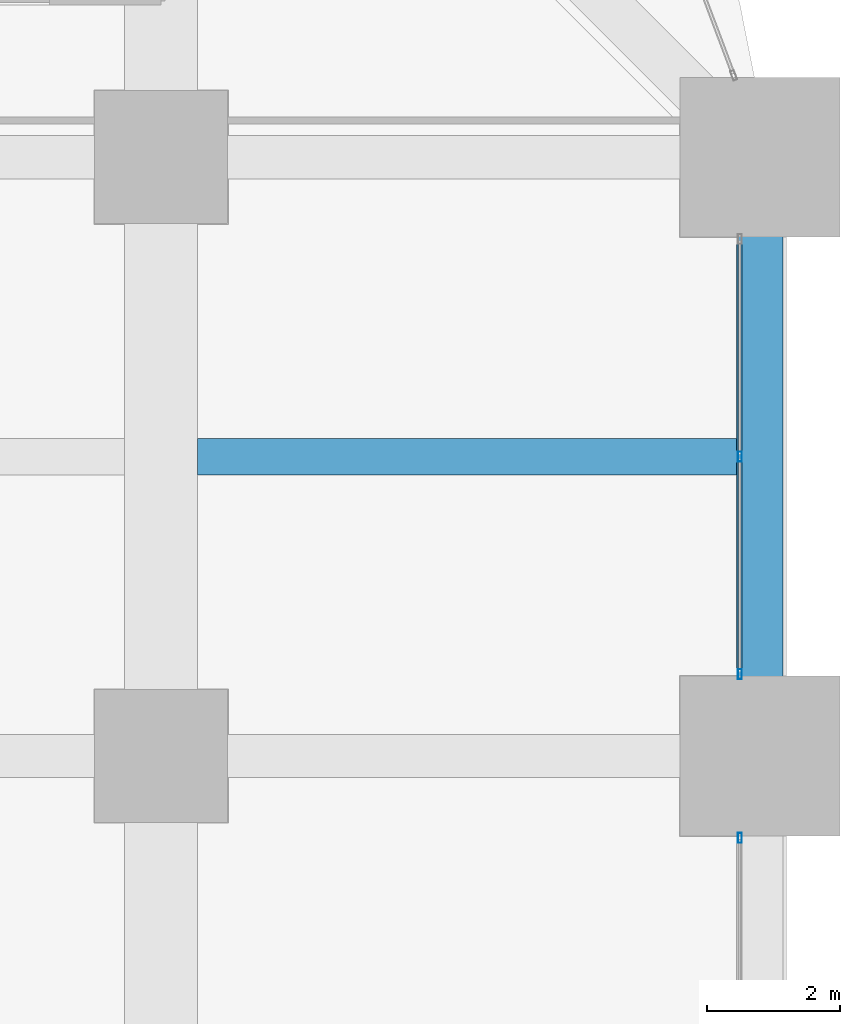
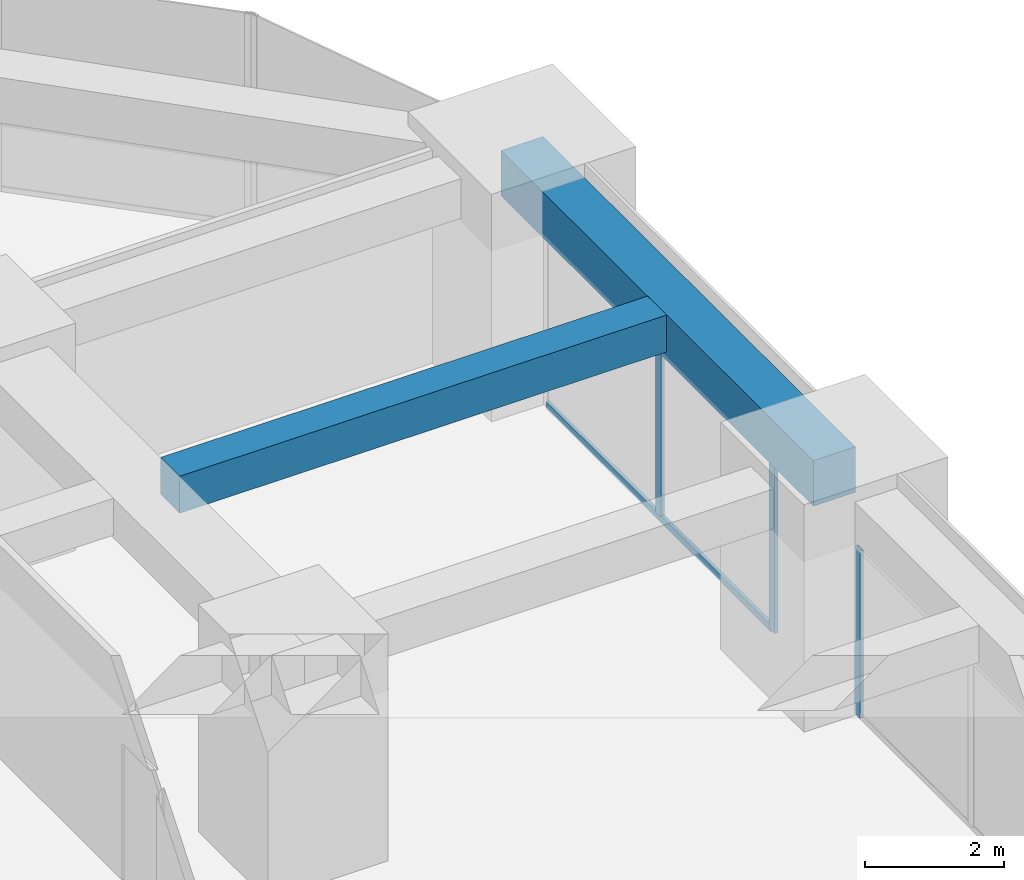
# One storey, part 23 of 40: 4 members, 2 beams, 2 elements without a shape of their own.
"""IFC4 building model written with IfcOpenShell, lengths in metres."""

import ifcopenshell
import ifcopenshell.guid

model = None  # the IFC model being written
_history = None  # IfcOwnerHistory: only IFC2X3 demands one
_inside = {}  # id of a spatial element -> (the spatial element, [elements in it])
_under = {}  # id of a project, library or spatial element -> (it, [spatial elements below it])
_declared = {}  # id of a project -> (the project, [libraries it declares])
_typed = {}  # id of a type object -> (the type object, [elements of that type])
_made_of = {}  # id of a material, layer set ... -> (it, [elements and type objects made of it])


def new_model(schema):
    """Start an empty IFC model of exactly this schema.

    Asked for "IFC4X3", IfcOpenShell would pick the latest addendum, in which some entities
    have other attributes; the version numbers below select the first issue.
    IFC2X3 requires an IfcOwnerHistory on every rooted entity: one is made here for all.
    """
    global model, _history
    if schema == "IFC4X3":
        model = ifcopenshell.file(schema_version=(4, 3, 0, 0))
    else:
        model = ifcopenshell.file(schema=schema)
    _inside.clear()
    _under.clear()
    _declared.clear()
    _typed.clear()
    _made_of.clear()
    _history = None
    if model.schema == "IFC2X3":
        org = make("IfcOrganization", Name="unknown")
        user = make(
            "IfcPersonAndOrganization",
            ThePerson=make("IfcPerson", FamilyName="unknown"),
            TheOrganization=org,
        )
        app = make(
            "IfcApplication",
            ApplicationDeveloper=org,
            Version="unknown",
            ApplicationFullName="unknown",
            ApplicationIdentifier="unknown",
        )
        _history = make(
            "IfcOwnerHistory",
            OwningUser=user,
            OwningApplication=app,
            ChangeAction="ADDED",
            CreationDate=0,
        )
    return model


def make(cls, **values):
    """One entity of the class cls with the attributes given. An attribute that is None is left unset."""
    return model.create_entity(
        cls, **{name: value for name, value in values.items() if value is not None}
    )


def rooted(cls, **values):
    """An entity with a GlobalId (a new one), such as an element, a storey or a relation."""
    return make(cls, GlobalId=ifcopenshell.guid.new(), OwnerHistory=_history, **values)


def si_unit(unit_type, name, prefix=None):
    """IfcSIUnit, for example si_unit("LENGTHUNIT", "METRE", prefix="MILLI")."""
    return make("IfcSIUnit", UnitType=unit_type, Prefix=prefix, Name=name)


def assignment(units):
    """IfcUnitAssignment: the units of a project."""
    return None if units is None else make("IfcUnitAssignment", Units=units)


def point(xyz):
    """IfcCartesianPoint."""
    return None if xyz is None else make("IfcCartesianPoint", Coordinates=xyz)


def direction(xyz):
    """IfcDirection."""
    return None if xyz is None else make("IfcDirection", DirectionRatios=xyz)


def frame(location, z_axis=None, x_axis=None):
    """IfcAxis2Placement3D, a coordinate frame: its origin and axes. An axis left out is left unset."""
    return make(
        "IfcAxis2Placement3D",
        Location=point(location),
        Axis=direction(z_axis),
        RefDirection=direction(x_axis),
    )


def frame_2d(location, x_axis=None):
    """IfcAxis2Placement2D, a coordinate frame in the plane: its origin and x axis."""
    return make(
        "IfcAxis2Placement2D", Location=point(location), RefDirection=direction(x_axis)
    )


def origin():
    """The frame at (0, 0, 0) with its axes left unset."""
    return frame((0.0, 0.0, 0.0))


def origin_2d():
    """The frame at (0, 0) in the plane with its x axis left unset."""
    return frame_2d((0.0, 0.0))


def place(relative_to, where):
    """IfcLocalPlacement: puts the frame where relative to a parent placement (None: the world)."""
    return make(
        "IfcLocalPlacement", PlacementRelTo=relative_to, RelativePlacement=where
    )


def context(
    kind, dimensions, precision=None, world=None, true_north=None, identifier=None
):
    """IfcGeometricRepresentationContext, for example the 3D "Model" context."""
    return make(
        "IfcGeometricRepresentationContext",
        ContextIdentifier=identifier,
        ContextType=kind,
        CoordinateSpaceDimension=dimensions,
        Precision=precision,
        WorldCoordinateSystem=world,
        TrueNorth=true_north,
    )


def subcontext(parent, identifier, kind, view, scale=None):
    """IfcGeometricRepresentationSubContext, for example "Body" below "Model"."""
    return make(
        "IfcGeometricRepresentationSubContext",
        ContextIdentifier=identifier,
        ContextType=kind,
        ParentContext=parent,
        TargetScale=scale,
        TargetView=view,
    )


def project(units=None, contexts=None):
    """IfcProject with its units and contexts."""
    return rooted(
        "IfcProject",
        Name="project",
        RepresentationContexts=contexts,
        UnitsInContext=assignment(units),
    )


def spatial(cls, under=None, at=None, **own):
    """A site, building, storey or space (cls), placed at a placement, below another one or the project."""
    s = rooted(cls, ObjectPlacement=at, **own)
    if under is not None:
        _under.setdefault(under.id(), (under, []))[1].append(s)
    return s


def profile(cls, at=None, kind="AREA", **sizes):
    """A parametric profile (cls). Its sizes go by their IFC names, for example OverallWidth=200.0."""
    return make(cls, ProfileType=kind, Position=at, **sizes)


def rectangle(**sizes):
    """IfcRectangleProfileDef."""
    return profile("IfcRectangleProfileDef", **sizes)


def hollow_rectangle(**sizes):
    """IfcRectangleHollowProfileDef."""
    return profile("IfcRectangleHollowProfileDef", **sizes)


def extrude(swept, where, along, depth):
    """IfcExtrudedAreaSolid: the profile swept, set in the frame where, extruded along a direction by depth."""
    return make(
        "IfcExtrudedAreaSolid",
        SweptArea=swept,
        Position=where,
        ExtrudedDirection=direction(along),
        Depth=depth,
    )


def shape(context_of_items, identifier, shape_type, items):
    """IfcShapeRepresentation: the items that make up one representation, for example the "Body"."""
    return make(
        "IfcShapeRepresentation",
        ContextOfItems=context_of_items,
        RepresentationIdentifier=identifier,
        RepresentationType=shape_type,
        Items=items,
    )


def material(Name=None, Category=None):
    """IfcMaterial."""
    return make("IfcMaterial", Name=Name, Category=Category)


def material_profile(
    of_material, cross_section, Name=None, Category=None, Priority=None
):
    """IfcMaterialProfile: a cross section and its material."""
    return make(
        "IfcMaterialProfile",
        Name=Name,
        Material=of_material,
        Profile=cross_section,
        Priority=Priority,
        Category=Category,
    )


def profile_set(profiles, Name=None, composite=None):
    """IfcMaterialProfileSet."""
    return make(
        "IfcMaterialProfileSet",
        Name=Name,
        MaterialProfiles=profiles,
        CompositeProfile=composite,
    )


def made_of(thing, what):
    """Note that an element or type object is made of a material, layer set ...; save() writes the relation."""
    if what is not None:
        _made_of.setdefault(what.id(), (what, []))[1].append(thing)
    return thing


def type_object(cls, material=None, **own):
    """A type object (cls), such as IfcWallType, which elements share."""
    return made_of(rooted(cls, **own), material)


def element(
    cls,
    number,
    at=None,
    inside=None,
    cuts=None,
    type_object=None,
    material=None,
    context=None,
    identifier="Body",
    shape_type=None,
    held_by="IfcProductDefinitionShape",
    body=None,
    shapes=None,
    **own,
):
    """One element of the class cls, such as IfcWall. Its Tag is "e" and its number.

    at: its placement. inside: the storey or other place that contains it. cuts: it is an
    opening in that element (IfcRelVoidsElement). A single representation is given by context,
    identifier, shape_type and body (its items); several are given by shapes. held_by: the class
    of the entity that holds the representations. save() writes the other relations.
    """
    e = rooted(cls, Tag="e%d" % number, ObjectPlacement=at, **own)
    if body is not None:
        shapes = [shape(context, identifier, shape_type, body)]
    if shapes is not None:
        e.Representation = make(held_by, Representations=shapes)
    if inside is not None:
        _inside.setdefault(inside.id(), (inside, []))[1].append(e)
    if cuts is not None:
        rooted(
            "IfcRelVoidsElement", RelatingBuildingElement=cuts, RelatedOpeningElement=e
        )
    if type_object is not None:
        _typed.setdefault(type_object.id(), (type_object, []))[1].append(e)
    return made_of(e, material)


def aggregate(whole, parts):
    """IfcRelAggregates: a whole, such as a stair, and the parts it consists of."""
    return rooted("IfcRelAggregates", RelatingObject=whole, RelatedObjects=parts)


def save(model, path):
    """Write the relations noted so far, then the file.

    IfcRelAggregates (storeys below a building ...), IfcRelContainedInSpatialStructure (elements
    in a storey), IfcRelDefinesByType, IfcRelAssociatesMaterial and IfcRelDeclares: one each for
    every whole, place, type object, material and project.
    """
    for whole, parts in _under.values():
        aggregate(whole, parts)
    for where, things in _inside.values():
        rooted(
            "IfcRelContainedInSpatialStructure",
            RelatedElements=things,
            RelatingStructure=where,
        )
    for kind, things in _typed.values():
        rooted("IfcRelDefinesByType", RelatedObjects=things, RelatingType=kind)
    for what, things in _made_of.values():
        rooted("IfcRelAssociatesMaterial", RelatedObjects=things, RelatingMaterial=what)
    for by, libraries in _declared.values():
        rooted("IfcRelDeclares", RelatingContext=by, RelatedDefinitions=libraries)
    model.write(path)


model = new_model("IFC4")

# Units and contexts
model_context = context("Model", 3, precision=1e-05, world=origin(), true_north=direction((0.0, 1.0)))
body_context = subcontext(model_context, "Body", "Model", "MODEL_VIEW")
ifc_project = project(units=[si_unit("LENGTHUNIT", "METRE"), si_unit("AREAUNIT", "SQUARE_METRE"), si_unit("VOLUMEUNIT", "CUBIC_METRE"), si_unit("PLANEANGLEUNIT", "RADIAN"), si_unit("MASSUNIT", "GRAM", prefix="KILO")], contexts=[model_context])

# Site, building, storey
site_placement = place(None, origin())
site = spatial("IfcSite", under=ifc_project, at=site_placement, CompositionType="ELEMENT")
building_placement = place(site_placement, origin())
building = spatial("IfcBuilding", under=site, at=building_placement, Name="Zorevar Civic Tower", CompositionType="ELEMENT")
storey_placement = place(building_placement, frame((0.0, 0.0, 93.0)))
storey = spatial("IfcBuildingStorey", under=building, at=storey_placement, Name="L22", CompositionType="ELEMENT", Elevation=93.0)

# Beam
ifc_material_1 = material(Name="Concrete C50/60", Category="concrete")
ifc_material_profile_1 = material_profile(ifc_material_1, rectangle(XDim=0.550048828125, YDim=0.64990234375, at=origin_2d()), Name="RC 550x650")
ifc_profile_set_1 = profile_set([ifc_material_profile_1], Name="Concrete C50/60")
beam_type_1 = type_object("IfcBeamType", Name="Beam RC 550x650", PredefinedType="BEAM", material=ifc_profile_set_1)
beam_1_placement = place(storey_placement, frame((54.550048828125, 31.5, 3.425048828125), z_axis=(1.0, 0.0, 0.0), x_axis=(0.0, 1.0, 0.0)))
element("IfcBeam", 1, at=beam_1_placement, inside=storey, type_object=beam_type_1, Name="Secondary beam L23", PredefinedType="BEAM", context=body_context, shape_type="SweptSolid", body=[
    extrude(rectangle(XDim=0.550048828125, YDim=0.64990234375, at=origin_2d()), origin(), (0.0, 0.0, 1.0), 8.099853515625),
])

# Curtain wall, member
ifc_material_2 = material(Name="Dark grey solar-control glass in black aluminium frame", Category="aluminium")
curtain_wall_type = type_object("IfcCurtainWallType", Name="Curtain wall CW3 mid zone", PredefinedType="NOTDEFINED", material=ifc_material_2)
curtain_wall_1_placement = place(storey_placement, origin())
curtain_wall_1 = element("IfcCurtainWall", 2, at=curtain_wall_1_placement, inside=storey, type_object=curtain_wall_type, Name="CW3 L22", PredefinedType="NOTDEFINED")
ifc_material_3 = material(Name="Aluminium, black anodised", Category="aluminium")
ifc_material_profile_2 = material_profile(ifc_material_3, hollow_rectangle(XDim=0.06005859375, YDim=0.14990234375, WallThickness=0.00390625, at=origin_2d()), Name="AL 150x60x4")
ifc_profile_set_2 = profile_set([ifc_material_profile_2], Name="Aluminium, black anodised")
member_type_1 = type_object("IfcMemberType", Name="CW3 mullion AL 150x60x4", PredefinedType="MULLION", material=ifc_profile_set_2)
member_1_placement = place(storey_placement, frame((62.699951171875, 25.77001953125, 0.0), z_axis=(0.0, 0.0, 1.0), x_axis=(-1.0, 0.0, 0.0)))
member_1 = element("IfcMember", 3, at=member_1_placement, type_object=member_type_1, Name="CW3 mullion 3", PredefinedType="MULLION", context=body_context, shape_type="SweptSolid", body=[
    extrude(hollow_rectangle(XDim=0.06005859375, YDim=0.14990234375, WallThickness=0.00390625, at=origin_2d()), origin(), (0.0, 0.0, 1.0), 2.949951171875),
])
aggregate(curtain_wall_1, [member_1])

# Curtain wall, members
curtain_wall_2_placement = place(storey_placement, origin())
curtain_wall_2 = element("IfcCurtainWall", 4, at=curtain_wall_2_placement, inside=storey, type_object=curtain_wall_type, Name="CW3 L22", PredefinedType="NOTDEFINED")
member_2_placement = place(storey_placement, frame((62.699951171875, 28.22998046875, 0.0), z_axis=(0.0, 0.0, 1.0), x_axis=(-1.0, 0.0, 0.0)))
member_2 = element("IfcMember", 5, at=member_2_placement, type_object=member_type_1, Name="CW3 mullion 1", PredefinedType="MULLION", context=body_context, shape_type="SweptSolid", body=[
    extrude(hollow_rectangle(XDim=0.06005859375, YDim=0.14990234375, WallThickness=0.00390625, at=origin_2d()), origin(), (0.0, 0.0, 1.0), 2.949951171875),
])
member_3_placement = place(storey_placement, frame((62.699951171875, 31.5, 0.06005859375), z_axis=(0.0, 0.0, 1.0), x_axis=(-1.0, 0.0, 0.0)))
member_3 = element("IfcMember", 6, at=member_3_placement, type_object=member_type_1, Name="CW3 mullion 2", PredefinedType="MULLION", context=body_context, shape_type="SweptSolid", body=[
    extrude(hollow_rectangle(XDim=0.06005859375, YDim=0.14990234375, WallThickness=0.00390625, at=origin_2d()), origin(), (0.0, 0.0, 1.0), 2.889892578125),
])
ifc_material_4 = material(Name="Aluminium, black anodised", Category="aluminium")
ifc_material_profile_3 = material_profile(ifc_material_4, hollow_rectangle(XDim=0.06005859375, YDim=0.1201171875, WallThickness=0.0029296875, at=origin_2d()), Name="AL 120x60x3")
ifc_profile_set_3 = profile_set([ifc_material_profile_3], Name="Aluminium, black anodised")
member_type_2 = type_object("IfcMemberType", Name="CW3 transom AL 120x60x3", PredefinedType="USERDEFINED", material=ifc_profile_set_3)
member_4_placement = place(storey_placement, frame((62.699951171875, 28.260009765625, 0.030029296875), z_axis=(0.0, 1.0, 0.0), x_axis=(-1.0, 0.0, 0.0)))
member_4 = element("IfcMember", 7, at=member_4_placement, type_object=member_type_2, Name="CW3 sill transom", ObjectType="TRANSOM", PredefinedType="USERDEFINED", context=body_context, shape_type="SweptSolid", body=[
    extrude(hollow_rectangle(XDim=0.06005859375, YDim=0.1201171875, WallThickness=0.0029296875, at=origin_2d()), origin(), (0.0, 0.0, 1.0), 6.47998046875),
])
aggregate(curtain_wall_2, [member_2, member_3, member_4])

# Beam
ifc_material_5 = material(Name="Concrete C50/60", Category="concrete")
ifc_material_profile_4 = material_profile(ifc_material_5, rectangle(XDim=0.699951171875, YDim=0.800048828125, at=origin_2d()), Name="RC 700x800")
ifc_profile_set_4 = profile_set([ifc_material_profile_4], Name="Concrete C50/60")
beam_type_2 = type_object("IfcBeamType", Name="Edge beam RC 700x800", PredefinedType="SPANDREL", material=ifc_profile_set_4)
beam_2_placement = place(storey_placement, frame((63.0, 27.0, 3.35009765625), z_axis=(0.0, 1.0, 0.0), x_axis=(-1.0, 0.0, 0.0)))
element("IfcBeam", 8, at=beam_2_placement, inside=storey, type_object=beam_type_2, Name="Edge beam L23", PredefinedType="SPANDREL", context=body_context, shape_type="SweptSolid", body=[
    extrude(rectangle(XDim=0.699951171875, YDim=0.800048828125, at=origin_2d()), origin(), (0.0, 0.0, 1.0), 9.0),
])

save(model, "model.ifc")
